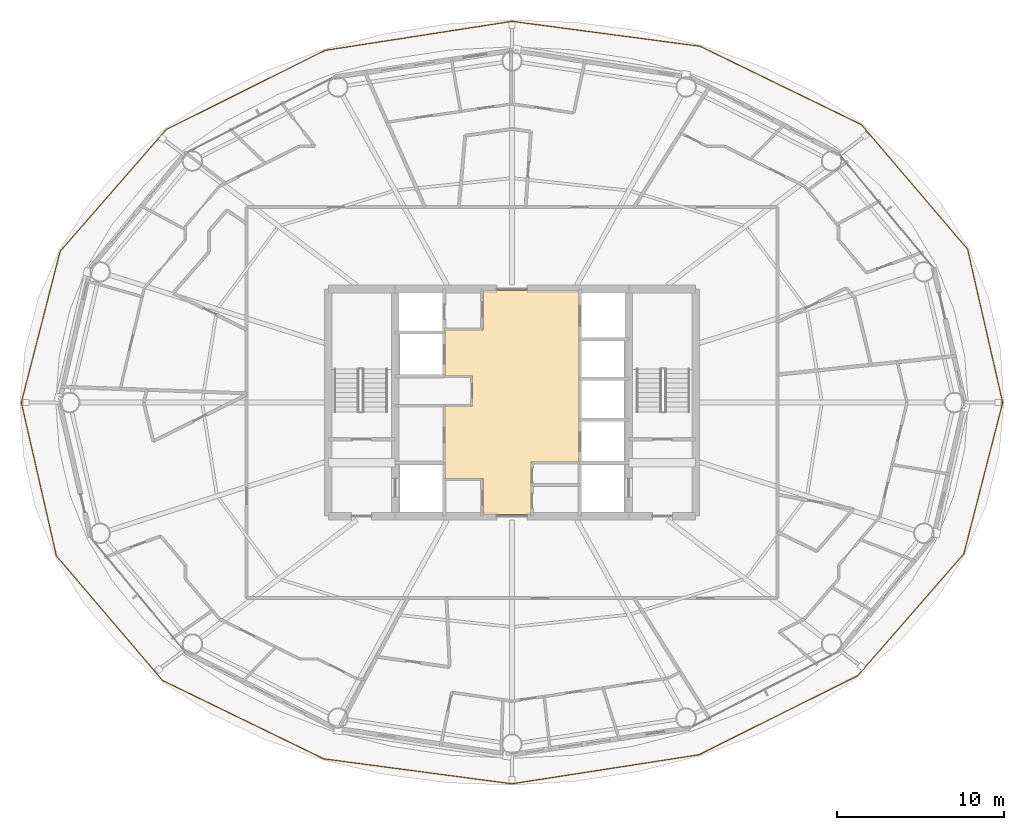
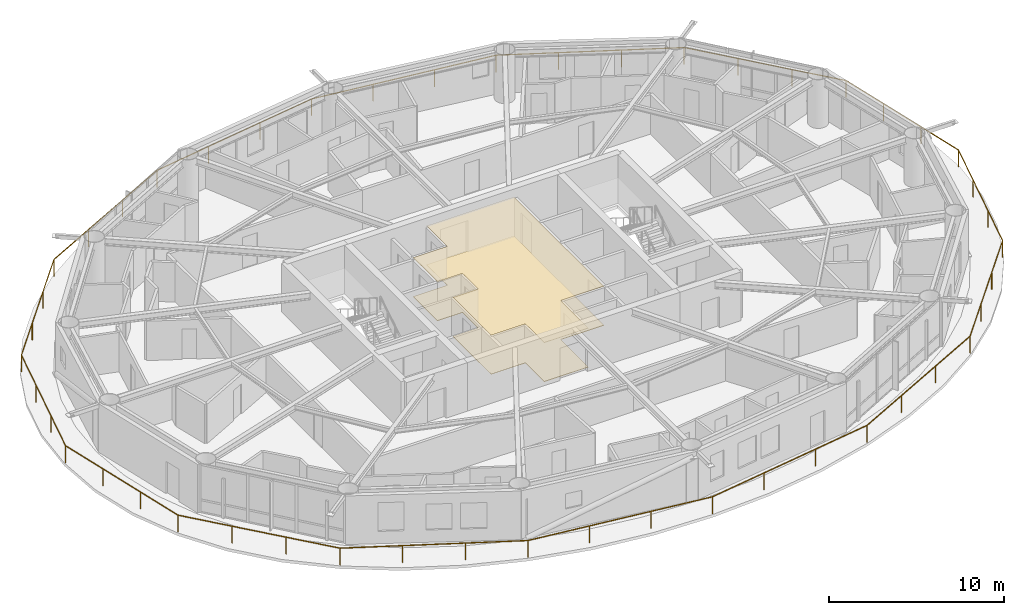
# One storey, part 27 of 28: 2 coverings, 1 railing.
"""IFC4 building model written with IfcOpenShell, lengths in metres."""

import ifcopenshell
import ifcopenshell.guid

model = None  # the IFC model being written
_history = None  # IfcOwnerHistory: only IFC2X3 demands one
_inside = {}  # id of a spatial element -> (the spatial element, [elements in it])
_under = {}  # id of a project, library or spatial element -> (it, [spatial elements below it])
_declared = {}  # id of a project -> (the project, [libraries it declares])
_typed = {}  # id of a type object -> (the type object, [elements of that type])
_made_of = {}  # id of a material, layer set ... -> (it, [elements and type objects made of it])


def new_model(schema):
    """Start an empty IFC model of exactly this schema.

    Asked for "IFC4X3", IfcOpenShell would pick the latest addendum, in which some entities
    have other attributes; the version numbers below select the first issue.
    IFC2X3 requires an IfcOwnerHistory on every rooted entity: one is made here for all.
    """
    global model, _history
    if schema == "IFC4X3":
        model = ifcopenshell.file(schema_version=(4, 3, 0, 0))
    else:
        model = ifcopenshell.file(schema=schema)
    _inside.clear()
    _under.clear()
    _declared.clear()
    _typed.clear()
    _made_of.clear()
    _history = None
    if model.schema == "IFC2X3":
        org = make("IfcOrganization", Name="unknown")
        user = make(
            "IfcPersonAndOrganization",
            ThePerson=make("IfcPerson", FamilyName="unknown"),
            TheOrganization=org,
        )
        app = make(
            "IfcApplication",
            ApplicationDeveloper=org,
            Version="unknown",
            ApplicationFullName="unknown",
            ApplicationIdentifier="unknown",
        )
        _history = make(
            "IfcOwnerHistory",
            OwningUser=user,
            OwningApplication=app,
            ChangeAction="ADDED",
            CreationDate=0,
        )
    return model


def make(cls, **values):
    """One entity of the class cls with the attributes given. An attribute that is None is left unset."""
    return model.create_entity(
        cls, **{name: value for name, value in values.items() if value is not None}
    )


def rooted(cls, **values):
    """An entity with a GlobalId (a new one), such as an element, a storey or a relation."""
    return make(cls, GlobalId=ifcopenshell.guid.new(), OwnerHistory=_history, **values)


def si_unit(unit_type, name, prefix=None):
    """IfcSIUnit, for example si_unit("LENGTHUNIT", "METRE", prefix="MILLI")."""
    return make("IfcSIUnit", UnitType=unit_type, Prefix=prefix, Name=name)


def assignment(units):
    """IfcUnitAssignment: the units of a project."""
    return None if units is None else make("IfcUnitAssignment", Units=units)


def point(xyz):
    """IfcCartesianPoint."""
    return None if xyz is None else make("IfcCartesianPoint", Coordinates=xyz)


def direction(xyz):
    """IfcDirection."""
    return None if xyz is None else make("IfcDirection", DirectionRatios=xyz)


def frame(location, z_axis=None, x_axis=None):
    """IfcAxis2Placement3D, a coordinate frame: its origin and axes. An axis left out is left unset."""
    return make(
        "IfcAxis2Placement3D",
        Location=point(location),
        Axis=direction(z_axis),
        RefDirection=direction(x_axis),
    )


def frame_2d(location, x_axis=None):
    """IfcAxis2Placement2D, a coordinate frame in the plane: its origin and x axis."""
    return make(
        "IfcAxis2Placement2D", Location=point(location), RefDirection=direction(x_axis)
    )


def origin():
    """The frame at (0, 0, 0) with its axes left unset."""
    return frame((0.0, 0.0, 0.0))


def origin_2d():
    """The frame at (0, 0) in the plane with its x axis left unset."""
    return frame_2d((0.0, 0.0))


def place(relative_to, where):
    """IfcLocalPlacement: puts the frame where relative to a parent placement (None: the world)."""
    return make(
        "IfcLocalPlacement", PlacementRelTo=relative_to, RelativePlacement=where
    )


def context(
    kind, dimensions, precision=None, world=None, true_north=None, identifier=None
):
    """IfcGeometricRepresentationContext, for example the 3D "Model" context."""
    return make(
        "IfcGeometricRepresentationContext",
        ContextIdentifier=identifier,
        ContextType=kind,
        CoordinateSpaceDimension=dimensions,
        Precision=precision,
        WorldCoordinateSystem=world,
        TrueNorth=true_north,
    )


def subcontext(parent, identifier, kind, view, scale=None):
    """IfcGeometricRepresentationSubContext, for example "Body" below "Model"."""
    return make(
        "IfcGeometricRepresentationSubContext",
        ContextIdentifier=identifier,
        ContextType=kind,
        ParentContext=parent,
        TargetScale=scale,
        TargetView=view,
    )


def project(units=None, contexts=None):
    """IfcProject with its units and contexts."""
    return rooted(
        "IfcProject",
        Name="project",
        RepresentationContexts=contexts,
        UnitsInContext=assignment(units),
    )


def spatial(cls, under=None, at=None, **own):
    """A site, building, storey or space (cls), placed at a placement, below another one or the project."""
    s = rooted(cls, ObjectPlacement=at, **own)
    if under is not None:
        _under.setdefault(under.id(), (under, []))[1].append(s)
    return s


def polyline(points):
    """IfcPolyline through the points."""
    return make("IfcPolyline", Points=[point(p) for p in points])


def profile(cls, at=None, kind="AREA", **sizes):
    """A parametric profile (cls). Its sizes go by their IFC names, for example OverallWidth=200.0."""
    return make(cls, ProfileType=kind, Position=at, **sizes)


def rectangle(**sizes):
    """IfcRectangleProfileDef."""
    return profile("IfcRectangleProfileDef", **sizes)


def outline(outer, holes=None, kind="AREA"):
    """IfcArbitraryClosedProfileDef: a profile drawn as a closed curve; with holes, ...WithVoids."""
    if holes is None:
        return make("IfcArbitraryClosedProfileDef", ProfileType=kind, OuterCurve=outer)
    return make(
        "IfcArbitraryProfileDefWithVoids",
        ProfileType=kind,
        OuterCurve=outer,
        InnerCurves=holes,
    )


def extrude(swept, where, along, depth):
    """IfcExtrudedAreaSolid: the profile swept, set in the frame where, extruded along a direction by depth."""
    return make(
        "IfcExtrudedAreaSolid",
        SweptArea=swept,
        Position=where,
        ExtrudedDirection=direction(along),
        Depth=depth,
    )


def shape(context_of_items, identifier, shape_type, items):
    """IfcShapeRepresentation: the items that make up one representation, for example the "Body"."""
    return make(
        "IfcShapeRepresentation",
        ContextOfItems=context_of_items,
        RepresentationIdentifier=identifier,
        RepresentationType=shape_type,
        Items=items,
    )


def material(Name=None, Category=None):
    """IfcMaterial."""
    return make("IfcMaterial", Name=Name, Category=Category)


def layer(
    of_material, thickness, ventilated=None, Name=None, Category=None, Priority=None
):
    """IfcMaterialLayer: one layer of a wall or slab, of a material (None: an air gap)."""
    return make(
        "IfcMaterialLayer",
        Material=of_material,
        LayerThickness=thickness,
        IsVentilated=ventilated,
        Name=Name,
        Category=Category,
        Priority=Priority,
    )


def layer_set(layers, Name=None):
    """IfcMaterialLayerSet."""
    return make("IfcMaterialLayerSet", MaterialLayers=layers, LayerSetName=Name)


def made_of(thing, what):
    """Note that an element or type object is made of a material, layer set ...; save() writes the relation."""
    if what is not None:
        _made_of.setdefault(what.id(), (what, []))[1].append(thing)
    return thing


def type_object(cls, material=None, **own):
    """A type object (cls), such as IfcWallType, which elements share."""
    return made_of(rooted(cls, **own), material)


def element(
    cls,
    number,
    at=None,
    inside=None,
    cuts=None,
    type_object=None,
    material=None,
    context=None,
    identifier="Body",
    shape_type=None,
    held_by="IfcProductDefinitionShape",
    body=None,
    shapes=None,
    **own,
):
    """One element of the class cls, such as IfcWall. Its Tag is "e" and its number.

    at: its placement. inside: the storey or other place that contains it. cuts: it is an
    opening in that element (IfcRelVoidsElement). A single representation is given by context,
    identifier, shape_type and body (its items); several are given by shapes. held_by: the class
    of the entity that holds the representations. save() writes the other relations.
    """
    e = rooted(cls, Tag="e%d" % number, ObjectPlacement=at, **own)
    if body is not None:
        shapes = [shape(context, identifier, shape_type, body)]
    if shapes is not None:
        e.Representation = make(held_by, Representations=shapes)
    if inside is not None:
        _inside.setdefault(inside.id(), (inside, []))[1].append(e)
    if cuts is not None:
        rooted(
            "IfcRelVoidsElement", RelatingBuildingElement=cuts, RelatedOpeningElement=e
        )
    if type_object is not None:
        _typed.setdefault(type_object.id(), (type_object, []))[1].append(e)
    return made_of(e, material)


def aggregate(whole, parts):
    """IfcRelAggregates: a whole, such as a stair, and the parts it consists of."""
    return rooted("IfcRelAggregates", RelatingObject=whole, RelatedObjects=parts)


def save(model, path):
    """Write the relations noted so far, then the file.

    IfcRelAggregates (storeys below a building ...), IfcRelContainedInSpatialStructure (elements
    in a storey), IfcRelDefinesByType, IfcRelAssociatesMaterial and IfcRelDeclares: one each for
    every whole, place, type object, material and project.
    """
    for whole, parts in _under.values():
        aggregate(whole, parts)
    for where, things in _inside.values():
        rooted(
            "IfcRelContainedInSpatialStructure",
            RelatedElements=things,
            RelatingStructure=where,
        )
    for kind, things in _typed.values():
        rooted("IfcRelDefinesByType", RelatedObjects=things, RelatingType=kind)
    for what, things in _made_of.values():
        rooted("IfcRelAssociatesMaterial", RelatedObjects=things, RelatingMaterial=what)
    for by, libraries in _declared.values():
        rooted("IfcRelDeclares", RelatingContext=by, RelatedDefinitions=libraries)
    model.write(path)


model = new_model("IFC4")

# Units and contexts
model_context = context("Model", 3, precision=1e-05, world=origin(), true_north=direction((0.0, 1.0)))
body_context = subcontext(model_context, "Body", "Model", "MODEL_VIEW")
ifc_project = project(units=[si_unit("LENGTHUNIT", "METRE"), si_unit("AREAUNIT", "SQUARE_METRE"), si_unit("VOLUMEUNIT", "CUBIC_METRE"), si_unit("PLANEANGLEUNIT", "RADIAN"), si_unit("MASSUNIT", "GRAM", prefix="KILO")], contexts=[model_context])

# Site, building, storey
site_placement = place(None, origin())
site = spatial("IfcSite", under=ifc_project, at=site_placement, CompositionType="ELEMENT")
building_placement = place(site_placement, origin())
building = spatial("IfcBuilding", under=site, at=building_placement, Name="Sarneth Arch Tower", CompositionType="ELEMENT")
storey_placement = place(building_placement, frame((0.0, 0.0, 190.199951171875)))
storey = spatial("IfcBuildingStorey", under=building, at=storey_placement, Name="L48", CompositionType="ELEMENT", Elevation=190.199951171875)

# Coverings
ifc_material_1 = material(Name="Perforated acoustic gypsum ceiling board")
ifc_layer_1 = layer(ifc_material_1, 0.02490234375)
ifc_layer_set_1 = layer_set([ifc_layer_1], Name="Perforated acoustic gypsum ceiling board")
covering_type_1 = type_object("IfcCoveringType", Name="COV-CEIL-GYP", PredefinedType="CEILING", material=ifc_layer_set_1)
covering_1_placement = place(storey_placement, frame((0.0, 0.0, 2.7099609375)))
element("IfcCovering", 1, at=covering_1_placement, inside=storey, type_object=covering_type_1, Name="L48 Lift lobby acoustic ceiling", PredefinedType="CEILING", context=body_context, shape_type="SweptSolid", body=[
    extrude(outline(polyline([(49.14990234375, 38.449951171875), (49.14990234375, 35.300048828125), (46.25, 35.300048828125), (46.25, 37.449951171875), (44.0, 37.449951171875), (44.0, 41.800048828125), (45.64990234375, 41.800048828125), (45.64990234375, 43.580078125), (44.0, 43.580078125), (44.0, 46.35009765625), (46.25, 46.35009765625), (46.25, 48.699951171875), (52.0, 48.699951171875), (52.0, 38.449951171875), (49.14990234375, 38.449951171875)])), origin(), (0.0, 0.0, 1.0), 0.030029296875),
])
ifc_material_2 = material(Name="Honed granite stone flooring", Category="masonry")
ifc_layer_2 = layer(ifc_material_2, 0.030029296875)
ifc_layer_set_2 = layer_set([ifc_layer_2], Name="Honed granite stone flooring")
covering_type_2 = type_object("IfcCoveringType", Name="COV-FLR-STONE", PredefinedType="FLOORING", material=ifc_layer_set_2)
covering_2_placement = place(storey_placement, origin())
element("IfcCovering", 2, at=covering_2_placement, inside=storey, type_object=covering_type_2, Name="L48 Lift lobby granite flooring", PredefinedType="FLOORING", context=body_context, shape_type="SweptSolid", body=[
    extrude(outline(polyline([(49.14990234375, 38.449951171875), (49.14990234375, 35.300048828125), (46.25, 35.300048828125), (46.25, 37.449951171875), (44.0, 37.449951171875), (44.0, 41.800048828125), (45.64990234375, 41.800048828125), (45.64990234375, 43.580078125), (44.0, 43.580078125), (44.0, 46.35009765625), (46.25, 46.35009765625), (46.25, 48.699951171875), (52.0, 48.699951171875), (52.0, 38.449951171875), (49.14990234375, 38.449951171875)])), origin(), (0.0, 0.0, 1.0), 0.030029296875),
])

# Railing
ifc_material_3 = material(Name="Laminated structural glass infill with Stainless Steel 316 top rail and posts", Category="steel")
railing_type = type_object("IfcRailingType", Name="RAIL-BALC-1200", PredefinedType="BALUSTRADE", material=ifc_material_3)
railing_placement = place(storey_placement, frame((77.377685546875, 42.0, 0.0)))
element("IfcRailing", 3, at=railing_placement, inside=storey, type_object=railing_type, Name="L48 Helical balcony glass balustrade", PredefinedType="BALUSTRADE", context=body_context, shape_type="SweptSolid", body=[
    extrude(rectangle(XDim=0.048095703125, YDim=0.048095703125, at=origin_2d()), frame((0.0, 0.0, 1.17578125), z_axis=(-0.22298668934, 0.974821489493, 0.0), x_axis=(-0.974821489493, -0.22298668934, 0.0)), (0.0, 0.0, 1.0), 9.41796875),
    extrude(rectangle(XDim=0.048095703125, YDim=0.048095703125, at=origin_2d()), frame((-2.10009765625, 9.180908203125, 1.17578125), z_axis=(-0.648678128426, 0.761062865801, 0.0), x_axis=(-0.761062865801, -0.648678128426, 0.0)), (0.0, 0.0, 1.0), 9.8017578125),
    extrude(rectangle(XDim=0.048095703125, YDim=0.048095703125, at=origin_2d()), frame((-8.458251953125, 16.640625, 1.17578125), z_axis=(-0.899415424956, 0.437094833362, 0.0), x_axis=(-0.437094833362, -0.899415424956, 0.0)), (0.0, 0.0, 1.0), 10.733154296875),
    extrude(rectangle(XDim=0.048095703125, YDim=0.048095703125, at=origin_2d()), frame((-18.11181640625, 21.33203125, 1.17578125), z_axis=(-0.991327993364, 0.131410842679, 0.0), x_axis=(-0.131410842679, -0.991327993364, 0.0)), (0.0, 0.0, 1.0), 11.364501953125),
    extrude(rectangle(XDim=0.048095703125, YDim=0.048095703125, at=origin_2d()), frame((-29.377685546875, 22.825439453125, 1.17578125), z_axis=(-0.988143015671, -0.153536251682, 0.0), x_axis=(0.153536251682, -0.988143015671, 0.0)), (0.0, 0.0, 1.0), 11.3232421875),
    extrude(rectangle(XDim=0.048095703125, YDim=0.048095703125, at=origin_2d()), frame((-40.566650390625, 21.0869140625, 1.17578125), z_axis=(-0.895152059626, -0.445760911417, 0.0), x_axis=(0.445760911417, -0.895152059626, 0.0)), (0.0, 0.0, 1.0), 10.625732421875),
    extrude(rectangle(XDim=0.048095703125, YDim=0.048095703125, at=origin_2d()), frame((-50.078369140625, 16.350341796875, 1.17578125), z_axis=(-0.65674092765, -0.754116273495, 0.0), x_axis=(0.754116273495, -0.65674092765, 0.0)), (0.0, 0.0, 1.0), 9.6728515625),
    extrude(rectangle(XDim=0.048095703125, YDim=0.048095703125, at=origin_2d()), frame((-56.430908203125, 9.055908203125, 1.17578125), z_axis=(-0.248619732809, -0.968601170998, 0.0), x_axis=(0.968601170998, -0.248619732809, 0.0)), (0.0, 0.0, 1.0), 9.349365234375),
    extrude(rectangle(XDim=0.048095703125, YDim=0.048095703125, at=origin_2d()), frame((-58.75537109375, 0.0, 1.17578125), z_axis=(0.22298668934, -0.974821489493, 0.0), x_axis=(0.974821489493, 0.22298668934, 0.0)), (0.0, 0.0, 1.0), 9.41796875),
    extrude(rectangle(XDim=0.048095703125, YDim=0.048095703125, at=origin_2d()), frame((-56.6552734375, -9.180908203125, 1.17578125), z_axis=(0.648678128426, -0.761062865801, 0.0), x_axis=(0.761062865801, 0.648678128426, 0.0)), (0.0, 0.0, 1.0), 9.8017578125),
    extrude(rectangle(XDim=0.048095703125, YDim=0.048095703125, at=origin_2d()), frame((-50.297119140625, -16.640625, 1.17578125), z_axis=(0.899415424956, -0.437094833362, 0.0), x_axis=(0.437094833362, 0.899415424956, 0.0)), (0.0, 0.0, 1.0), 10.733154296875),
    extrude(rectangle(XDim=0.048095703125, YDim=0.048095703125, at=origin_2d()), frame((-40.6435546875, -21.33203125, 1.17578125), z_axis=(0.991327993364, -0.131410842679, 0.0), x_axis=(0.131410842679, 0.991327993364, 0.0)), (0.0, 0.0, 1.0), 11.364501953125),
    extrude(rectangle(XDim=0.048095703125, YDim=0.048095703125, at=origin_2d()), frame((-29.377685546875, -22.825439453125, 1.17578125), z_axis=(0.988143015671, 0.153536251682, 0.0), x_axis=(-0.153536251682, 0.988143015671, 0.0)), (0.0, 0.0, 1.0), 11.3232421875),
    extrude(rectangle(XDim=0.048095703125, YDim=0.048095703125, at=origin_2d()), frame((-18.188720703125, -21.0869140625, 1.17578125), z_axis=(0.895152059626, 0.445760911417, 0.0), x_axis=(-0.445760911417, 0.895152059626, 0.0)), (0.0, 0.0, 1.0), 10.625732421875),
    extrude(rectangle(XDim=0.048095703125, YDim=0.048095703125, at=origin_2d()), frame((-8.677001953125, -16.350341796875, 1.17578125), z_axis=(0.65674092765, 0.754116273495, 0.0), x_axis=(-0.754116273495, 0.65674092765, 0.0)), (0.0, 0.0, 1.0), 9.6728515625),
    extrude(rectangle(XDim=0.048095703125, YDim=0.048095703125, at=origin_2d()), frame((-2.324462890625, -9.055908203125, 1.17578125), z_axis=(0.248619732809, 0.968601170998, 0.0), x_axis=(-0.968601170998, 0.248619732809, 0.0)), (0.0, 0.0, 1.0), 9.349365234375),
    extrude(rectangle(XDim=0.0419921875, YDim=0.0419921875, at=origin_2d()), origin(), (0.0, 0.0, 1.0), 1.15185546875),
    extrude(rectangle(XDim=0.0419921875, YDim=0.0419921875, at=origin_2d()), frame((-0.699951171875, 3.060302734375, 0.0)), (0.0, 0.0, 1.0), 1.15185546875),
    extrude(rectangle(XDim=0.0419921875, YDim=0.0419921875, at=origin_2d()), frame((-1.400146484375, 6.12060546875, 0.0)), (0.0, 0.0, 1.0), 1.15185546875),
    extrude(rectangle(XDim=0.0419921875, YDim=0.0419921875, at=origin_2d()), frame((-2.10009765625, 9.180908203125, 0.0)), (0.0, 0.0, 1.0), 1.15185546875),
    extrude(rectangle(XDim=0.0419921875, YDim=0.0419921875, at=origin_2d()), frame((-4.219482421875, 11.66748046875, 0.0)), (0.0, 0.0, 1.0), 1.15185546875),
    extrude(rectangle(XDim=0.0419921875, YDim=0.0419921875, at=origin_2d()), frame((-6.3388671875, 14.154052734375, 0.0)), (0.0, 0.0, 1.0), 1.15185546875),
    extrude(rectangle(XDim=0.0419921875, YDim=0.0419921875, at=origin_2d()), frame((-8.458251953125, 16.640625, 0.0)), (0.0, 0.0, 1.0), 1.15185546875),
    extrude(rectangle(XDim=0.0419921875, YDim=0.0419921875, at=origin_2d()), frame((-11.676025390625, 18.204345703125, 0.0)), (0.0, 0.0, 1.0), 1.15185546875),
    extrude(rectangle(XDim=0.0419921875, YDim=0.0419921875, at=origin_2d()), frame((-14.89404296875, 19.768310546875, 0.0)), (0.0, 0.0, 1.0), 1.15185546875),
    extrude(rectangle(XDim=0.0419921875, YDim=0.0419921875, at=origin_2d()), frame((-18.11181640625, 21.33203125, 0.0)), (0.0, 0.0, 1.0), 1.15185546875),
    extrude(rectangle(XDim=0.0419921875, YDim=0.0419921875, at=origin_2d()), frame((-21.8671875, 21.829833984375, 0.0)), (0.0, 0.0, 1.0), 1.15185546875),
    extrude(rectangle(XDim=0.0419921875, YDim=0.0419921875, at=origin_2d()), frame((-25.622314453125, 22.32763671875, 0.0)), (0.0, 0.0, 1.0), 1.15185546875),
    extrude(rectangle(XDim=0.0419921875, YDim=0.0419921875, at=origin_2d()), frame((-29.377685546875, 22.825439453125, 0.0)), (0.0, 0.0, 1.0), 1.15185546875),
    extrude(rectangle(XDim=0.0419921875, YDim=0.0419921875, at=origin_2d()), frame((-33.107421875, 22.245849609375, 0.0)), (0.0, 0.0, 1.0), 1.15185546875),
    extrude(rectangle(XDim=0.0419921875, YDim=0.0419921875, at=origin_2d()), frame((-36.8369140625, 21.66650390625, 0.0)), (0.0, 0.0, 1.0), 1.15185546875),
    extrude(rectangle(XDim=0.0419921875, YDim=0.0419921875, at=origin_2d()), frame((-40.566650390625, 21.0869140625, 0.0)), (0.0, 0.0, 1.0), 1.15185546875),
    extrude(rectangle(XDim=0.0419921875, YDim=0.0419921875, at=origin_2d()), frame((-43.7373046875, 19.508056640625, 0.0)), (0.0, 0.0, 1.0), 1.15185546875),
    extrude(rectangle(XDim=0.0419921875, YDim=0.0419921875, at=origin_2d()), frame((-46.90771484375, 17.92919921875, 0.0)), (0.0, 0.0, 1.0), 1.15185546875),
    extrude(rectangle(XDim=0.0419921875, YDim=0.0419921875, at=origin_2d()), frame((-50.078369140625, 16.350341796875, 0.0)), (0.0, 0.0, 1.0), 1.15185546875),
    extrude(rectangle(XDim=0.0419921875, YDim=0.0419921875, at=origin_2d()), frame((-52.19580078125, 13.9189453125, 0.0)), (0.0, 0.0, 1.0), 1.15185546875),
    extrude(rectangle(XDim=0.0419921875, YDim=0.0419921875, at=origin_2d()), frame((-54.3134765625, 11.4873046875, 0.0)), (0.0, 0.0, 1.0), 1.15185546875),
    extrude(rectangle(XDim=0.0419921875, YDim=0.0419921875, at=origin_2d()), frame((-56.430908203125, 9.055908203125, 0.0)), (0.0, 0.0, 1.0), 1.15185546875),
    extrude(rectangle(XDim=0.0419921875, YDim=0.0419921875, at=origin_2d()), frame((-57.205810546875, 6.037353515625, 0.0)), (0.0, 0.0, 1.0), 1.15185546875),
    extrude(rectangle(XDim=0.0419921875, YDim=0.0419921875, at=origin_2d()), frame((-57.98046875, 3.0185546875, 0.0)), (0.0, 0.0, 1.0), 1.15185546875),
    extrude(rectangle(XDim=0.0419921875, YDim=0.0419921875, at=origin_2d()), frame((-58.75537109375, 0.0, 0.0)), (0.0, 0.0, 1.0), 1.15185546875),
    extrude(rectangle(XDim=0.0419921875, YDim=0.0419921875, at=origin_2d()), frame((-58.055419921875, -3.060302734375, 0.0)), (0.0, 0.0, 1.0), 1.15185546875),
    extrude(rectangle(XDim=0.0419921875, YDim=0.0419921875, at=origin_2d()), frame((-57.355224609375, -6.12060546875, 0.0)), (0.0, 0.0, 1.0), 1.15185546875),
    extrude(rectangle(XDim=0.0419921875, YDim=0.0419921875, at=origin_2d()), frame((-56.6552734375, -9.180908203125, 0.0)), (0.0, 0.0, 1.0), 1.15185546875),
    extrude(rectangle(XDim=0.0419921875, YDim=0.0419921875, at=origin_2d()), frame((-54.535888671875, -11.66748046875, 0.0)), (0.0, 0.0, 1.0), 1.15185546875),
    extrude(rectangle(XDim=0.0419921875, YDim=0.0419921875, at=origin_2d()), frame((-52.41650390625, -14.154052734375, 0.0)), (0.0, 0.0, 1.0), 1.15185546875),
    extrude(rectangle(XDim=0.0419921875, YDim=0.0419921875, at=origin_2d()), frame((-50.297119140625, -16.640625, 0.0)), (0.0, 0.0, 1.0), 1.15185546875),
    extrude(rectangle(XDim=0.0419921875, YDim=0.0419921875, at=origin_2d()), frame((-47.079345703125, -18.204345703125, 0.0)), (0.0, 0.0, 1.0), 1.15185546875),
    extrude(rectangle(XDim=0.0419921875, YDim=0.0419921875, at=origin_2d()), frame((-43.861328125, -19.768310546875, 0.0)), (0.0, 0.0, 1.0), 1.15185546875),
    extrude(rectangle(XDim=0.0419921875, YDim=0.0419921875, at=origin_2d()), frame((-40.6435546875, -21.33203125, 0.0)), (0.0, 0.0, 1.0), 1.15185546875),
    extrude(rectangle(XDim=0.0419921875, YDim=0.0419921875, at=origin_2d()), frame((-36.88818359375, -21.829833984375, 0.0)), (0.0, 0.0, 1.0), 1.15185546875),
    extrude(rectangle(XDim=0.0419921875, YDim=0.0419921875, at=origin_2d()), frame((-33.133056640625, -22.32763671875, 0.0)), (0.0, 0.0, 1.0), 1.15185546875),
    extrude(rectangle(XDim=0.0419921875, YDim=0.0419921875, at=origin_2d()), frame((-29.377685546875, -22.825439453125, 0.0)), (0.0, 0.0, 1.0), 1.15185546875),
    extrude(rectangle(XDim=0.0419921875, YDim=0.0419921875, at=origin_2d()), frame((-25.64794921875, -22.245849609375, 0.0)), (0.0, 0.0, 1.0), 1.15185546875),
    extrude(rectangle(XDim=0.0419921875, YDim=0.0419921875, at=origin_2d()), frame((-21.91845703125, -21.66650390625, 0.0)), (0.0, 0.0, 1.0), 1.15185546875),
    extrude(rectangle(XDim=0.0419921875, YDim=0.0419921875, at=origin_2d()), frame((-18.188720703125, -21.0869140625, 0.0)), (0.0, 0.0, 1.0), 1.15185546875),
    extrude(rectangle(XDim=0.0419921875, YDim=0.0419921875, at=origin_2d()), frame((-15.01806640625, -19.508056640625, 0.0)), (0.0, 0.0, 1.0), 1.15185546875),
    extrude(rectangle(XDim=0.0419921875, YDim=0.0419921875, at=origin_2d()), frame((-11.84765625, -17.92919921875, 0.0)), (0.0, 0.0, 1.0), 1.15185546875),
    extrude(rectangle(XDim=0.0419921875, YDim=0.0419921875, at=origin_2d()), frame((-8.677001953125, -16.350341796875, 0.0)), (0.0, 0.0, 1.0), 1.15185546875),
    extrude(rectangle(XDim=0.0419921875, YDim=0.0419921875, at=origin_2d()), frame((-6.5595703125, -13.9189453125, 0.0)), (0.0, 0.0, 1.0), 1.15185546875),
    extrude(rectangle(XDim=0.0419921875, YDim=0.0419921875, at=origin_2d()), frame((-4.44189453125, -11.4873046875, 0.0)), (0.0, 0.0, 1.0), 1.15185546875),
    extrude(rectangle(XDim=0.0419921875, YDim=0.0419921875, at=origin_2d()), frame((-2.324462890625, -9.055908203125, 0.0)), (0.0, 0.0, 1.0), 1.15185546875),
    extrude(rectangle(XDim=0.0419921875, YDim=0.0419921875, at=origin_2d()), frame((-1.549560546875, -6.037353515625, 0.0)), (0.0, 0.0, 1.0), 1.15185546875),
    extrude(rectangle(XDim=0.0419921875, YDim=0.0419921875, at=origin_2d()), frame((-0.77490234375, -3.0185546875, 0.0)), (0.0, 0.0, 1.0), 1.15185546875),
])

save(model, "model.ifc")
